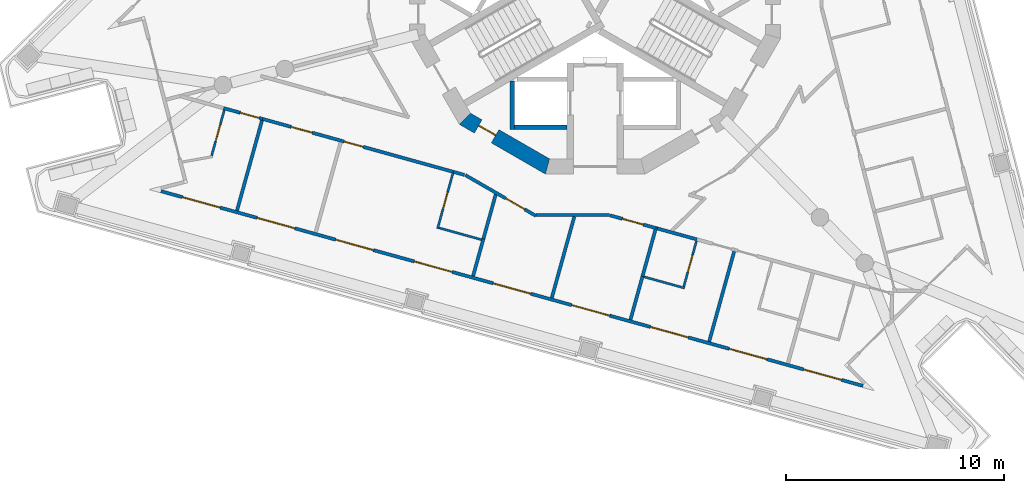
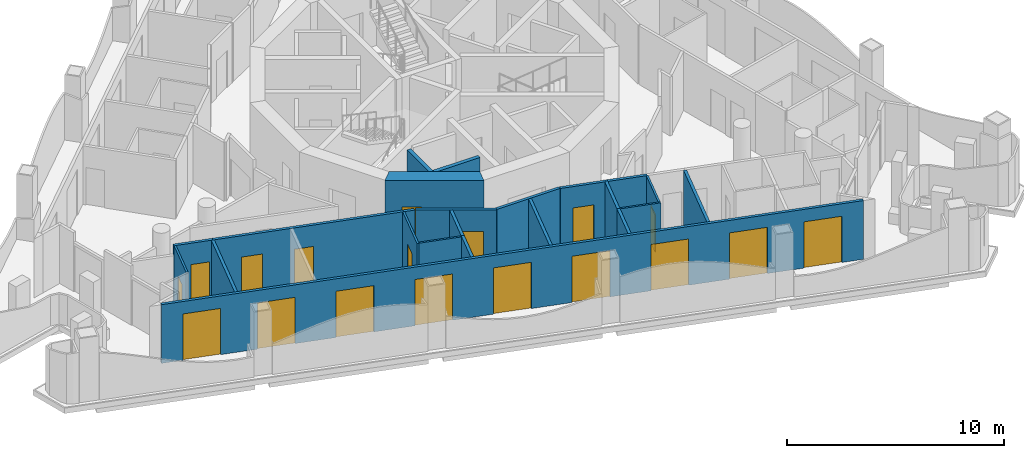
# One storey, part 2 of 14: 23 walls, 18 doors, 18 openings.
"""IFC4 building model written with IfcOpenShell, lengths in metres."""

from ifc_helpers import new_model, si_unit, direction, frame, frame_2d, origin, place, context, subcontext, project, spatial, polyline, rectangle, outline, extrude, material, layer, layer_set, type_object, element, fill, save


model = new_model("IFC4")

# Units and contexts
model_context = context("Model", 3, precision=1e-05, world=origin(), true_north=direction((0.0, 1.0)))
body_context = subcontext(model_context, "Body", "Model", "MODEL_VIEW")
ifc_project = project(units=[si_unit("LENGTHUNIT", "METRE"), si_unit("AREAUNIT", "SQUARE_METRE"), si_unit("VOLUMEUNIT", "CUBIC_METRE"), si_unit("PLANEANGLEUNIT", "RADIAN"), si_unit("MASSUNIT", "GRAM", prefix="KILO")], contexts=[model_context])

# Site, building, storey
site_placement = place(None, origin())
site = spatial("IfcSite", under=ifc_project, at=site_placement, CompositionType="ELEMENT")
building_placement = place(site_placement, origin())
building = spatial("IfcBuilding", under=site, at=building_placement, Name="Trine Commons Tower", CompositionType="ELEMENT")
storey_placement = place(building_placement, frame((0.0, 0.0, 252.89990234375)))
storey = spatial("IfcBuildingStorey", under=building, at=storey_placement, Name="L66", CompositionType="ELEMENT", Elevation=252.89990234375)

# Wall, openings, doors
ifc_material_1 = material(Name="Aluminium-framed insulated wall panel", Category="aluminium")
ifc_layer_1 = layer(ifc_material_1, 0.14990234375)
ifc_layer_set_1 = layer_set([ifc_layer_1], Name="Aluminium-framed insulated wall panel")
wall_type_1 = type_object("IfcWallType", Name="Glazed frame wall 150, EI 60", PredefinedType="SOLIDWALL", material=ifc_layer_set_1)
wall_1_placement = place(storey_placement, frame((92.4189453125, 44.2548828125, 0.0), z_axis=(0.0, 0.0, 1.0), x_axis=(-0.963630586427, 0.267237895708, 0.0)))
wall_1 = element("IfcWall", 1, at=wall_1_placement, inside=storey, type_object=wall_type_1, Name="Glazed frame wall F3", PredefinedType="SOLIDWALL", context=body_context, shape_type="SweptSolid", body=[
    extrude(outline(polyline([(0.1494140625, 0.074951171875), (0.1494140625, -0.074951171875), (33.536865234375, -0.074951171875), (33.536865234375, 0.074951171875), (0.1494140625, 0.074951171875)])), origin(), (0.0, 0.0, 1.0), 3.300048828125),
])
opening_1_placement = place(wall_1_placement, frame((1.17138671875, 0.0, 0.0)))
opening_1 = element("IfcOpeningElement", 2, at=opening_1_placement, cuts=wall_1, Name="Opening BD-7F3-01", PredefinedType="OPENING", context=body_context, shape_type="SweptSolid", body=[
    extrude(rectangle(XDim=1.800048828125, YDim=2.60009765625, at=frame_2d((0.89990234375, 1.300048828125))), frame((0.0, 0.0849609375, 0.0), z_axis=(0.0, -1.0, 0.0), x_axis=(1.0, 0.0, 0.0)), (0.0, 0.0, 1.0), 0.169921875),
])
opening_2_placement = place(wall_1_placement, frame((4.71435546875, 0.0, 0.0)))
opening_2 = element("IfcOpeningElement", 3, at=opening_2_placement, cuts=wall_1, Name="Opening BD-7F3-02", PredefinedType="OPENING", context=body_context, shape_type="SweptSolid", body=[
    extrude(rectangle(XDim=1.800048828125, YDim=2.60009765625, at=frame_2d((0.89990234375, 1.300048828125))), frame((0.0, 0.0849609375, 0.0), z_axis=(0.0, -1.0, 0.0), x_axis=(1.0, 0.0, 0.0)), (0.0, 0.0, 1.0), 0.169921875),
])
opening_3_placement = place(wall_1_placement, frame((8.457275390625, 0.0, 0.0)))
opening_3 = element("IfcOpeningElement", 4, at=opening_3_placement, cuts=wall_1, Name="Opening BD-7F3-03", PredefinedType="OPENING", context=body_context, shape_type="SweptSolid", body=[
    extrude(rectangle(XDim=1.800048828125, YDim=2.60009765625, at=frame_2d((0.89990234375, 1.300048828125))), frame((0.0, 0.0849609375, 0.0), z_axis=(0.0, -1.0, 0.0), x_axis=(1.0, 0.0, 0.0)), (0.0, 0.0, 1.0), 0.169921875),
])
opening_4_placement = place(wall_1_placement, frame((12.2001953125, 0.0, 0.0)))
opening_4 = element("IfcOpeningElement", 5, at=opening_4_placement, cuts=wall_1, Name="Opening BD-7F3-04", PredefinedType="OPENING", context=body_context, shape_type="SweptSolid", body=[
    extrude(rectangle(XDim=1.800048828125, YDim=2.60009765625, at=frame_2d((0.89990234375, 1.300048828125))), frame((0.0, 0.0849609375, 0.0), z_axis=(0.0, -1.0, 0.0), x_axis=(1.0, 0.0, 0.0)), (0.0, 0.0, 1.0), 0.169921875),
])
opening_5_placement = place(wall_1_placement, frame((15.943115234375, 0.0, 0.0)))
opening_5 = element("IfcOpeningElement", 6, at=opening_5_placement, cuts=wall_1, Name="Opening BD-7F3-05", PredefinedType="OPENING", context=body_context, shape_type="SweptSolid", body=[
    extrude(rectangle(XDim=1.800048828125, YDim=2.60009765625, at=frame_2d((0.89990234375, 1.300048828125))), frame((0.0, 0.0849609375, 0.0), z_axis=(0.0, -1.0, 0.0), x_axis=(1.0, 0.0, 0.0)), (0.0, 0.0, 1.0), 0.169921875),
])
opening_6_placement = place(wall_1_placement, frame((19.68603515625, 0.0, 0.0)))
opening_6 = element("IfcOpeningElement", 7, at=opening_6_placement, cuts=wall_1, Name="Opening BD-7F3-06", PredefinedType="OPENING", context=body_context, shape_type="SweptSolid", body=[
    extrude(rectangle(XDim=1.800048828125, YDim=2.60009765625, at=frame_2d((0.89990234375, 1.300048828125))), frame((0.0, 0.0849609375, 0.0), z_axis=(0.0, -1.0, 0.0), x_axis=(1.0, 0.0, 0.0)), (0.0, 0.0, 1.0), 0.169921875),
])
opening_7_placement = place(wall_1_placement, frame((23.428955078125, 0.0, 0.0)))
opening_7 = element("IfcOpeningElement", 8, at=opening_7_placement, cuts=wall_1, Name="Opening BD-7F3-07", PredefinedType="OPENING", context=body_context, shape_type="SweptSolid", body=[
    extrude(rectangle(XDim=1.800048828125, YDim=2.60009765625, at=frame_2d((0.89990234375, 1.300048828125))), frame((0.0, 0.0849609375, 0.0), z_axis=(0.0, -1.0, 0.0), x_axis=(1.0, 0.0, 0.0)), (0.0, 0.0, 1.0), 0.169921875),
])
opening_8_placement = place(wall_1_placement, frame((27.171875, 0.0, 0.0)))
opening_8 = element("IfcOpeningElement", 9, at=opening_8_placement, cuts=wall_1, Name="Opening BD-7F3-08", PredefinedType="OPENING", context=body_context, shape_type="SweptSolid", body=[
    extrude(rectangle(XDim=1.800048828125, YDim=2.60009765625, at=frame_2d((0.89990234375, 1.300048828125))), frame((0.0, 0.0849609375, 0.0), z_axis=(0.0, -1.0, 0.0), x_axis=(1.0, 0.0, 0.0)), (0.0, 0.0, 1.0), 0.169921875),
])
opening_9_placement = place(wall_1_placement, frame((30.714599609375, 0.0, 0.0)))
opening_9 = element("IfcOpeningElement", 10, at=opening_9_placement, cuts=wall_1, Name="Opening BD-7F3-09", PredefinedType="OPENING", context=body_context, shape_type="SweptSolid", body=[
    extrude(rectangle(XDim=1.800048828125, YDim=2.60009765625, at=frame_2d((0.89990234375, 1.300048828125))), frame((0.0, 0.0849609375, 0.0), z_axis=(0.0, -1.0, 0.0), x_axis=(1.0, 0.0, 0.0)), (0.0, 0.0, 1.0), 0.169921875),
])
ifc_material_2 = material(Name="Anodised aluminium frame with double glazing", Category="aluminium")
door_type_1 = type_object("IfcDoorType", Name="Sliding loggia door 1800x2600", OperationType="SLIDING_TO_LEFT", PredefinedType="DOOR", material=ifc_material_2)
door_1_placement = place(opening_1_placement, origin())
door_1 = element("IfcDoor", 11, at=door_1_placement, inside=storey, type_object=door_type_1, Name="Loggia door F3 1", OperationType="SLIDING_TO_LEFT", OverallHeight=2.60009765625, OverallWidth=1.800048828125, PredefinedType="DOOR", context=body_context, shape_type="SweptSolid", body=[
    extrude(rectangle(XDim=1.800048828125, YDim=2.60009765625, at=frame_2d((0.89990234375, 1.300048828125))), frame((0.0, 0.02490234375, 0.0), z_axis=(0.0, -1.0, 0.0), x_axis=(1.0, 0.0, 0.0)), (0.0, 0.0, 1.0), 0.050048828125),
])
fill(opening_1, door_1)
door_2_placement = place(opening_2_placement, origin())
door_2 = element("IfcDoor", 12, at=door_2_placement, inside=storey, type_object=door_type_1, Name="Loggia door F3 2", OperationType="SLIDING_TO_LEFT", OverallHeight=2.60009765625, OverallWidth=1.800048828125, PredefinedType="DOOR", context=body_context, shape_type="SweptSolid", body=[
    extrude(rectangle(XDim=1.800048828125, YDim=2.60009765625, at=frame_2d((0.89990234375, 1.300048828125))), frame((0.0, 0.02490234375, 0.0), z_axis=(0.0, -1.0, 0.0), x_axis=(1.0, 0.0, 0.0)), (0.0, 0.0, 1.0), 0.050048828125),
])
fill(opening_2, door_2)
door_3_placement = place(opening_3_placement, origin())
door_3 = element("IfcDoor", 13, at=door_3_placement, inside=storey, type_object=door_type_1, Name="Loggia door F3 3", OperationType="SLIDING_TO_LEFT", OverallHeight=2.60009765625, OverallWidth=1.800048828125, PredefinedType="DOOR", context=body_context, shape_type="SweptSolid", body=[
    extrude(rectangle(XDim=1.800048828125, YDim=2.60009765625, at=frame_2d((0.89990234375, 1.300048828125))), frame((0.0, 0.02490234375, 0.0), z_axis=(0.0, -1.0, 0.0), x_axis=(1.0, 0.0, 0.0)), (0.0, 0.0, 1.0), 0.050048828125),
])
fill(opening_3, door_3)
door_4_placement = place(opening_4_placement, origin())
door_4 = element("IfcDoor", 14, at=door_4_placement, inside=storey, type_object=door_type_1, Name="Loggia door F3 4", OperationType="SLIDING_TO_LEFT", OverallHeight=2.60009765625, OverallWidth=1.800048828125, PredefinedType="DOOR", context=body_context, shape_type="SweptSolid", body=[
    extrude(rectangle(XDim=1.800048828125, YDim=2.60009765625, at=frame_2d((0.89990234375, 1.300048828125))), frame((0.0, 0.02490234375, 0.0), z_axis=(0.0, -1.0, 0.0), x_axis=(1.0, 0.0, 0.0)), (0.0, 0.0, 1.0), 0.050048828125),
])
fill(opening_4, door_4)
door_5_placement = place(opening_5_placement, origin())
door_5 = element("IfcDoor", 15, at=door_5_placement, inside=storey, type_object=door_type_1, Name="Loggia door F3 5", OperationType="SLIDING_TO_LEFT", OverallHeight=2.60009765625, OverallWidth=1.800048828125, PredefinedType="DOOR", context=body_context, shape_type="SweptSolid", body=[
    extrude(rectangle(XDim=1.800048828125, YDim=2.60009765625, at=frame_2d((0.89990234375, 1.300048828125))), frame((0.0, 0.02490234375, 0.0), z_axis=(0.0, -1.0, 0.0), x_axis=(1.0, 0.0, 0.0)), (0.0, 0.0, 1.0), 0.050048828125),
])
fill(opening_5, door_5)
door_6_placement = place(opening_6_placement, origin())
door_6 = element("IfcDoor", 16, at=door_6_placement, inside=storey, type_object=door_type_1, Name="Loggia door F3 6", OperationType="SLIDING_TO_LEFT", OverallHeight=2.60009765625, OverallWidth=1.800048828125, PredefinedType="DOOR", context=body_context, shape_type="SweptSolid", body=[
    extrude(rectangle(XDim=1.800048828125, YDim=2.60009765625, at=frame_2d((0.89990234375, 1.300048828125))), frame((0.0, 0.02490234375, 0.0), z_axis=(0.0, -1.0, 0.0), x_axis=(1.0, 0.0, 0.0)), (0.0, 0.0, 1.0), 0.050048828125),
])
fill(opening_6, door_6)
door_7_placement = place(opening_7_placement, origin())
door_7 = element("IfcDoor", 17, at=door_7_placement, inside=storey, type_object=door_type_1, Name="Loggia door F3 7", OperationType="SLIDING_TO_LEFT", OverallHeight=2.60009765625, OverallWidth=1.800048828125, PredefinedType="DOOR", context=body_context, shape_type="SweptSolid", body=[
    extrude(rectangle(XDim=1.800048828125, YDim=2.60009765625, at=frame_2d((0.89990234375, 1.300048828125))), frame((0.0, 0.02490234375, 0.0), z_axis=(0.0, -1.0, 0.0), x_axis=(1.0, 0.0, 0.0)), (0.0, 0.0, 1.0), 0.050048828125),
])
fill(opening_7, door_7)
door_8_placement = place(opening_8_placement, origin())
door_8 = element("IfcDoor", 18, at=door_8_placement, inside=storey, type_object=door_type_1, Name="Loggia door F3 8", OperationType="SLIDING_TO_LEFT", OverallHeight=2.60009765625, OverallWidth=1.800048828125, PredefinedType="DOOR", context=body_context, shape_type="SweptSolid", body=[
    extrude(rectangle(XDim=1.800048828125, YDim=2.60009765625, at=frame_2d((0.89990234375, 1.300048828125))), frame((0.0, 0.02490234375, 0.0), z_axis=(0.0, -1.0, 0.0), x_axis=(1.0, 0.0, 0.0)), (0.0, 0.0, 1.0), 0.050048828125),
])
fill(opening_8, door_8)
door_9_placement = place(opening_9_placement, origin())
door_9 = element("IfcDoor", 19, at=door_9_placement, inside=storey, type_object=door_type_1, Name="Loggia door F3 9", OperationType="SLIDING_TO_LEFT", OverallHeight=2.60009765625, OverallWidth=1.800048828125, PredefinedType="DOOR", context=body_context, shape_type="SweptSolid", body=[
    extrude(rectangle(XDim=1.800048828125, YDim=2.60009765625, at=frame_2d((0.89990234375, 1.300048828125))), frame((0.0, 0.02490234375, 0.0), z_axis=(0.0, -1.0, 0.0), x_axis=(1.0, 0.0, 0.0)), (0.0, 0.0, 1.0), 0.050048828125),
])
fill(opening_9, door_9)

# Wall, opening, door
ifc_material_3 = material(Name="Concrete C50/60", Category="concrete")
ifc_layer_2 = layer(ifc_material_3, 0.699951171875)
ifc_layer_set_2 = layer_set([ifc_layer_2], Name="Concrete C50/60")
wall_type_2 = type_object("IfcWallType", Name="RC shear wall 700 mm, C50/60", PredefinedType="SHEAR", material=ifc_layer_set_2)
wall_2_placement = place(storey_placement, frame((73.952392578125, 56.58056640625, 0.0), z_axis=(0.0, 0.0, 1.0), x_axis=(0.866034756103, -0.499983800959, 0.0)))
wall_2 = element("IfcWall", 20, at=wall_2_placement, inside=storey, type_object=wall_type_2, Name="Core wall CWG-09 L66", PredefinedType="SHEAR", context=body_context, shape_type="SweptSolid", body=[
    extrude(outline(polyline([(0.0, -0.35009765625), (4.55517578125, -0.35009765625), (4.36767578125, 0.35009765625), (0.1875, 0.35009765625), (0.0, -0.35009765625)])), origin(), (0.0, 0.0, 1.0), 3.60009765625),
])
opening_10_placement = place(wall_2_placement, frame((0.791015625, 0.0, 0.0)))
opening_10 = element("IfcOpeningElement", 21, at=opening_10_placement, cuts=wall_2, Name="Opening K16.15", PredefinedType="OPENING", context=body_context, shape_type="SweptSolid", body=[
    extrude(rectangle(XDim=0.89990234375, YDim=2.10009765625, at=frame_2d((0.449951171875, 1.050048828125))), frame((0.0, 0.35986328125, 0.0), z_axis=(0.0, -1.0, 0.0), x_axis=(1.0, 0.0, 0.0)), (0.0, 0.0, 1.0), 0.719970703125),
])
ifc_material_4 = material(Name="Steel door leaf, fire-rated", Category="steel")
door_type_2 = type_object("IfcDoorType", Name="Core room door, single leaf 900 x 2100, FD30S", OperationType="SINGLE_SWING_LEFT", PredefinedType="DOOR", material=ifc_material_4)
door_10_placement = place(opening_10_placement, origin())
door_10 = element("IfcDoor", 22, at=door_10_placement, inside=storey, type_object=door_type_2, Name="Door to Parcel store L66", OperationType="SINGLE_SWING_LEFT", OverallHeight=2.10009765625, OverallWidth=0.89990234375, PredefinedType="DOOR", context=body_context, shape_type="SweptSolid", body=[
    extrude(rectangle(XDim=0.89990234375, YDim=2.10009765625, at=frame_2d((0.449951171875, 1.050048828125))), frame((0.0, 0.0751953125, 0.0), z_axis=(0.0, -1.0, 0.0), x_axis=(1.0, 0.0, 0.0)), (0.0, 0.0, 1.0), 0.050048828125),
])
fill(opening_10, door_10)

# Walls
ifc_material_5 = material(Name="Fire-rated gypsum shaft wall system")
ifc_layer_3 = layer(ifc_material_5, 0.199951171875)
ifc_layer_set_3 = layer_set([ifc_layer_3], Name="Fire-rated gypsum shaft wall system")
wall_type_3 = type_object("IfcWallType", Name="Shaft wall 200 mm, EI 120", PredefinedType="PARTITIONING", material=ifc_layer_set_3)
wall_3_placement = place(storey_placement, frame((76.199951171875, 58.257080078125, 0.0), z_axis=(0.0, 0.0, 1.0), x_axis=(0.0, -1.0, 0.0)))
element("IfcWall", 23, at=wall_3_placement, inside=storey, type_object=wall_type_3, Name="Shaft wall L66", PredefinedType="PARTITIONING", context=body_context, shape_type="SweptSolid", body=[
    extrude(rectangle(XDim=2.20703125, YDim=0.199951171875, at=frame_2d((1.103515625, 0.0))), origin(), (0.0, 0.0, 1.0), 3.300048828125),
])
wall_4_placement = place(storey_placement, frame((78.699951171875, 56.14990234375, 0.0), z_axis=(0.0, 0.0, 1.0), x_axis=(-1.0, 0.0, 0.0)))
element("IfcWall", 24, at=wall_4_placement, inside=storey, type_object=wall_type_3, Name="Shaft wall L66", PredefinedType="PARTITIONING", context=body_context, shape_type="SweptSolid", body=[
    extrude(rectangle(XDim=2.39990234375, YDim=0.199951171875, at=frame_2d((1.199951171875, 0.0))), origin(), (0.0, 0.0, 1.0), 3.300048828125),
])

# Wall, opening, door
ifc_material_6 = material(Name="Gypsum plasterboard on steel stud", Category="steel")
ifc_layer_4 = layer(ifc_material_6, 0.14990234375)
ifc_layer_set_4 = layer_set([ifc_layer_4], Name="Gypsum plasterboard on steel stud")
wall_type_4 = type_object("IfcWallType", Name="Unit and corridor wall 150 mm, EI 60", PredefinedType="PARTITIONING", material=ifc_layer_set_4)
wall_5_placement = place(storey_placement, frame((62.9697265625, 57.0244140625, 0.0), z_axis=(0.0, 0.0, 1.0), x_axis=(0.963687744937, -0.267031702723, 0.0)))
wall_5 = element("IfcWall", 25, at=wall_5_placement, inside=storey, type_object=wall_type_4, Name="Partition 006", PredefinedType="PARTITIONING", context=body_context, shape_type="SweptSolid", body=[
    extrude(rectangle(XDim=1.851318359375, YDim=0.14990234375, at=frame_2d((0.92578125, 0.0))), origin(), (0.0, 0.0, 1.0), 3.300048828125),
])
opening_11_placement = place(wall_5_placement, frame((0.79736328125, 0.0, 0.0)))
opening_11 = element("IfcOpeningElement", 26, at=opening_11_placement, cuts=wall_5, Name="Opening D-7B23", PredefinedType="OPENING", context=body_context, shape_type="SweptSolid", body=[
    extrude(rectangle(XDim=0.89990234375, YDim=2.10009765625, at=frame_2d((0.449951171875, 1.050048828125))), frame((0.0, 0.0849609375, 0.0), z_axis=(0.0, -1.0, 0.0), x_axis=(1.0, 0.0, 0.0)), (0.0, 0.0, 1.0), 0.169921875),
])
ifc_material_7 = material(Name="Timber fire door set", Category="wood")
door_type_3 = type_object("IfcDoorType", Name="Bedroom door 900 x 2100, FD30S", OperationType="NOTDEFINED", PredefinedType="DOOR", material=ifc_material_7)
door_11_placement = place(opening_11_placement, frame((0.89990234375, 0.0, 0.0), z_axis=(0.0, 0.0, 1.0), x_axis=(-1.0, 0.0, 0.0)))
door_11 = element("IfcDoor", 27, at=door_11_placement, inside=storey, type_object=door_type_3, Name="Door D-7B23", OperationType="SINGLE_SWING_LEFT", OverallHeight=2.10009765625, OverallWidth=0.89990234375, PredefinedType="DOOR", context=body_context, shape_type="SweptSolid", body=[
    extrude(rectangle(XDim=0.89990234375, YDim=2.10009765625, at=frame_2d((0.449951171875, 1.050048828125))), frame((0.0, 0.02490234375, 0.0), z_axis=(0.0, -1.0, 0.0), x_axis=(1.0, 0.0, 0.0)), (0.0, 0.0, 1.0), 0.050048828125),
])
fill(opening_11, door_11)

# Wall
wall_6_placement = place(storey_placement, frame((63.584716796875, 52.32958984375, 0.0), z_axis=(0.0, 0.0, 1.0), x_axis=(0.267270648008, 0.963621502828, 0.0)))
element("IfcWall", 28, at=wall_6_placement, inside=storey, type_object=wall_type_4, Name="Partition 008", PredefinedType="PARTITIONING", context=body_context, shape_type="SweptSolid", body=[
    extrude(rectangle(XDim=4.284912109375, YDim=0.14990234375, at=frame_2d((2.142578125, 0.0))), origin(), (0.0, 0.0, 1.0), 3.300048828125),
])

# Wall, openings, doors
wall_7_placement = place(storey_placement, frame((64.74609375, 56.531982421875, 0.0), z_axis=(0.0, 0.0, 1.0), x_axis=(0.963636492765, -0.267216597184, 0.0)))
wall_7 = element("IfcWall", 29, at=wall_7_placement, inside=storey, type_object=wall_type_4, Name="Partition 010", PredefinedType="PARTITIONING", context=body_context, shape_type="SweptSolid", body=[
    extrude(rectangle(XDim=9.136474609375, YDim=0.14990234375, at=frame_2d((4.568359375, 0.0))), origin(), (0.0, 0.0, 1.0), 3.300048828125),
])
opening_12_placement = place(wall_7_placement, frame((3.8974609375, 0.0, 0.0)))
opening_12 = element("IfcOpeningElement", 30, at=opening_12_placement, cuts=wall_7, Name="Opening D-7B21", PredefinedType="OPENING", context=body_context, shape_type="SweptSolid", body=[
    extrude(rectangle(XDim=0.89990234375, YDim=2.10009765625, at=frame_2d((0.449951171875, 1.050048828125))), frame((0.0, 0.0849609375, 0.0), z_axis=(0.0, -1.0, 0.0), x_axis=(1.0, 0.0, 0.0)), (0.0, 0.0, 1.0), 0.169921875),
])
opening_13_placement = place(wall_7_placement, frame((1.375732421875, 0.0, 0.0)))
opening_13 = element("IfcOpeningElement", 31, at=opening_13_placement, cuts=wall_7, Name="Opening D-7B22", PredefinedType="OPENING", context=body_context, shape_type="SweptSolid", body=[
    extrude(rectangle(XDim=1.0, YDim=2.10009765625, at=frame_2d((0.5, 1.050048828125))), frame((0.0, 0.0849609375, 0.0), z_axis=(0.0, -1.0, 0.0), x_axis=(1.0, 0.0, 0.0)), (0.0, 0.0, 1.0), 0.169921875),
])
ifc_material_8 = material(Name="Painted timber", Category="wood")
door_type_4 = type_object("IfcDoorType", Name="Amenity room door 1000 x 2100, NOT RATED", OperationType="NOTDEFINED", PredefinedType="DOOR", material=ifc_material_8)
door_12_placement = place(opening_13_placement, frame((1.0, 0.0, 0.0), z_axis=(0.0, 0.0, 1.0), x_axis=(-1.0, 0.0, 0.0)))
door_12 = element("IfcDoor", 32, at=door_12_placement, inside=storey, type_object=door_type_4, Name="Door D-7B22", OperationType="SINGLE_SWING_RIGHT", OverallHeight=2.10009765625, OverallWidth=1.0, PredefinedType="DOOR", context=body_context, shape_type="SweptSolid", body=[
    extrude(rectangle(XDim=1.0, YDim=2.10009765625, at=frame_2d((0.5, 1.050048828125))), frame((0.0, 0.02490234375, 0.0), z_axis=(0.0, -1.0, 0.0), x_axis=(1.0, 0.0, 0.0)), (0.0, 0.0, 1.0), 0.050048828125),
])
fill(opening_13, door_12)
door_13_placement = place(opening_12_placement, frame((0.89990234375, 0.0, 0.0), z_axis=(0.0, 0.0, 1.0), x_axis=(-1.0, 0.0, 0.0)))
door_13 = element("IfcDoor", 33, at=door_13_placement, inside=storey, type_object=door_type_3, Name="Door D-7B21", OperationType="SINGLE_SWING_RIGHT", OverallHeight=2.10009765625, OverallWidth=0.89990234375, PredefinedType="DOOR", context=body_context, shape_type="SweptSolid", body=[
    extrude(rectangle(XDim=0.89990234375, YDim=2.10009765625, at=frame_2d((0.449951171875, 1.050048828125))), frame((0.0, 0.02490234375, 0.0), z_axis=(0.0, -1.0, 0.0), x_axis=(1.0, 0.0, 0.0)), (0.0, 0.0, 1.0), 0.050048828125),
])
fill(opening_12, door_13)

# Wall
wall_8_placement = place(storey_placement, frame((73.4951171875, 54.10595703125, 0.0), z_axis=(0.0, 0.0, 1.0), x_axis=(0.963398829282, -0.268072183819, 0.0)))
element("IfcWall", 34, at=wall_8_placement, inside=storey, type_object=wall_type_4, Name="Partition 035", PredefinedType="PARTITIONING", context=body_context, shape_type="SweptSolid", body=[
    extrude(rectangle(XDim=0.529052734375, YDim=0.14990234375, at=frame_2d((0.2646484375, 0.0))), origin(), (0.0, 0.0, 1.0), 3.300048828125),
])

# Wall, opening, door
wall_9_placement = place(storey_placement, frame((74.049072265625, 53.9560546875, 0.0), z_axis=(0.0, 0.0, 1.0), x_axis=(0.865974487503, -0.500088179218, 0.0)))
wall_9 = element("IfcWall", 35, at=wall_9_placement, inside=storey, type_object=wall_type_4, Name="Partition 036", PredefinedType="PARTITIONING", context=body_context, shape_type="SweptSolid", body=[
    extrude(rectangle(XDim=3.736572265625, YDim=0.14990234375, at=frame_2d((1.8681640625, 0.0))), origin(), (0.0, 0.0, 1.0), 3.300048828125),
])
opening_14_placement = place(wall_9_placement, frame((2.146728515625, 0.0, 0.0)))
opening_14 = element("IfcOpeningElement", 36, at=opening_14_placement, cuts=wall_9, Name="Opening D-7B20", PredefinedType="OPENING", context=body_context, shape_type="SweptSolid", body=[
    extrude(rectangle(XDim=1.0, YDim=2.10009765625, at=frame_2d((0.5, 1.050048828125))), frame((0.0, 0.0849609375, 0.0), z_axis=(0.0, -1.0, 0.0), x_axis=(1.0, 0.0, 0.0)), (0.0, 0.0, 1.0), 0.169921875),
])
door_type_5 = type_object("IfcDoorType", Name="Toilet door 1000 x 2100, NOT RATED", OperationType="NOTDEFINED", PredefinedType="DOOR", material=ifc_material_8)
door_14_placement = place(opening_14_placement, frame((1.0, 0.0, 0.0), z_axis=(0.0, 0.0, 1.0), x_axis=(-1.0, 0.0, 0.0)))
door_14 = element("IfcDoor", 37, at=door_14_placement, inside=storey, type_object=door_type_5, Name="Door D-7B20", OperationType="SINGLE_SWING_LEFT", OverallHeight=2.10009765625, OverallWidth=1.0, PredefinedType="DOOR", context=body_context, shape_type="SweptSolid", body=[
    extrude(rectangle(XDim=1.0, YDim=2.10009765625, at=frame_2d((0.5, 1.050048828125))), frame((0.0, 0.02490234375, 0.0), z_axis=(0.0, -1.0, 0.0), x_axis=(1.0, 0.0, 0.0)), (0.0, 0.0, 1.0), 0.050048828125),
])
fill(opening_14, door_14)

# Walls
wall_10_placement = place(storey_placement, frame((74.40478515625, 49.32861328125, 0.0), z_axis=(0.0, 0.0, 1.0), x_axis=(0.267401148385, 0.963585297648, 0.0)))
element("IfcWall", 38, at=wall_10_placement, inside=storey, type_object=wall_type_4, Name="Partition 039", PredefinedType="PARTITIONING", context=body_context, shape_type="SweptSolid", body=[
    extrude(rectangle(XDim=1.763916015625, YDim=0.14990234375, at=frame_2d((0.8818359375, 0.0))), origin(), (0.0, 0.0, 1.0), 3.300048828125),
])
wall_11_placement = place(storey_placement, frame((74.861083984375, 50.971923828125, 0.0), z_axis=(0.0, 0.0, 1.0), x_axis=(0.267076384881, 0.963675362681, 0.0)))
element("IfcWall", 39, at=wall_11_placement, inside=storey, type_object=wall_type_4, Name="Partition 040", PredefinedType="PARTITIONING", context=body_context, shape_type="SweptSolid", body=[
    extrude(rectangle(XDim=2.1748046875, YDim=0.14990234375, at=frame_2d((1.08740234375, 0.0))), origin(), (0.0, 0.0, 1.0), 3.300048828125),
])
wall_12_placement = place(storey_placement, frame((77.294921875, 52.125, 0.0), z_axis=(0.0, 0.0, 1.0), x_axis=(1.0, 0.0, 0.0)))
element("IfcWall", 40, at=wall_12_placement, inside=storey, type_object=wall_type_4, Name="Partition 044", PredefinedType="PARTITIONING", context=body_context, shape_type="SweptSolid", body=[
    extrude(rectangle(XDim=3.35595703125, YDim=0.14990234375, at=frame_2d((1.677978515625, 0.0))), origin(), (0.0, 0.0, 1.0), 3.300048828125),
])
wall_13_placement = place(storey_placement, frame((78.01171875, 48.32861328125, 0.0), z_axis=(0.0, 0.0, 1.0), x_axis=(0.267337590954, 0.963602932988, 0.0)))
element("IfcWall", 41, at=wall_13_placement, inside=storey, type_object=wall_type_4, Name="Partition 045", PredefinedType="PARTITIONING", context=body_context, shape_type="SweptSolid", body=[
    extrude(rectangle(XDim=3.86474609375, YDim=0.14990234375, at=frame_2d((1.932373046875, 0.0))), origin(), (0.0, 0.0, 1.0), 3.300048828125),
])

# Wall, opening, door
wall_14_placement = place(storey_placement, frame((80.681884765625, 52.110107421875, 0.0), z_axis=(0.0, 0.0, 1.0), x_axis=(0.96358351927, -0.267407556722, 0.0)))
wall_14 = element("IfcWall", 42, at=wall_14_placement, inside=storey, type_object=wall_type_4, Name="Partition 049", PredefinedType="PARTITIONING", context=body_context, shape_type="SweptSolid", body=[
    extrude(rectangle(XDim=2.184814453125, YDim=0.14990234375, at=frame_2d((1.09228515625, 0.0))), origin(), (0.0, 0.0, 1.0), 3.300048828125),
])
opening_15_placement = place(wall_14_placement, frame((0.590576171875, 0.0, 0.0)))
opening_15 = element("IfcOpeningElement", 43, at=opening_15_placement, cuts=wall_14, Name="Opening D-7B19", PredefinedType="OPENING", context=body_context, shape_type="SweptSolid", body=[
    extrude(rectangle(XDim=1.0, YDim=2.10009765625, at=frame_2d((0.5, 1.050048828125))), frame((0.0, 0.0849609375, 0.0), z_axis=(0.0, -1.0, 0.0), x_axis=(1.0, 0.0, 0.0)), (0.0, 0.0, 1.0), 0.169921875),
])
door_15_placement = place(opening_15_placement, frame((1.0, 0.0, 0.0), z_axis=(0.0, 0.0, 1.0), x_axis=(-1.0, 0.0, 0.0)))
door_15 = element("IfcDoor", 44, at=door_15_placement, inside=storey, type_object=door_type_4, Name="Door D-7B19", OperationType="SINGLE_SWING_RIGHT", OverallHeight=2.10009765625, OverallWidth=1.0, PredefinedType="DOOR", context=body_context, shape_type="SweptSolid", body=[
    extrude(rectangle(XDim=1.0, YDim=2.10009765625, at=frame_2d((0.5, 1.050048828125))), frame((0.0, 0.02490234375, 0.0), z_axis=(0.0, -1.0, 0.0), x_axis=(1.0, 0.0, 0.0)), (0.0, 0.0, 1.0), 0.050048828125),
])
fill(opening_15, door_15)

# Walls
wall_15_placement = place(storey_placement, frame((81.61865234375, 47.327392578125, 0.0), z_axis=(0.0, 0.0, 1.0), x_axis=(0.267075474737, 0.963675614921, 0.0)))
element("IfcWall", 45, at=wall_15_placement, inside=storey, type_object=wall_type_4, Name="Partition 050", PredefinedType="PARTITIONING", context=body_context, shape_type="SweptSolid", body=[
    extrude(rectangle(XDim=2.060546875, YDim=0.14990234375, at=frame_2d((1.0302734375, 0.0))), origin(), (0.0, 0.0, 1.0), 3.300048828125),
])
wall_16_placement = place(storey_placement, frame((82.1689453125, 49.31298828125, 0.0), z_axis=(0.0, 0.0, 1.0), x_axis=(0.267490099625, 0.963560608681, 0.0)))
element("IfcWall", 46, at=wall_16_placement, inside=storey, type_object=wall_type_4, Name="Partition 053", PredefinedType="PARTITIONING", context=body_context, shape_type="SweptSolid", body=[
    extrude(rectangle(XDim=2.374755859375, YDim=0.14990234375, at=frame_2d((1.1875, 0.0))), origin(), (0.0, 0.0, 1.0), 3.300048828125),
])
wall_17_placement = place(storey_placement, frame((82.852294921875, 51.508056640625, 0.0), z_axis=(0.0, 0.0, 1.0), x_axis=(0.963942160186, -0.266111840805, 0.0)))
element("IfcWall", 47, at=wall_17_placement, inside=storey, type_object=wall_type_4, Name="Partition 057", PredefinedType="PARTITIONING", context=body_context, shape_type="SweptSolid", body=[
    extrude(rectangle(XDim=1.882568359375, YDim=0.14990234375, at=frame_2d((0.94140625, 0.0))), origin(), (0.0, 0.0, 1.0), 3.300048828125),
])
wall_18_placement = place(storey_placement, frame((85.2255859375, 46.327392578125, 0.0), z_axis=(0.0, 0.0, 1.0), x_axis=(0.267308876537, 0.963610898924, 0.0)))
element("IfcWall", 48, at=wall_18_placement, inside=storey, type_object=wall_type_4, Name="Partition 066", PredefinedType="PARTITIONING", context=body_context, shape_type="SweptSolid", body=[
    extrude(rectangle(XDim=4.285400390625, YDim=0.14990234375, at=frame_2d((2.142578125, 0.0))), origin(), (0.0, 0.0, 1.0), 3.300048828125),
])

# Wall, opening, door
ifc_layer_5 = layer(ifc_material_6, 0.10009765625)
ifc_layer_set_5 = layer_set([ifc_layer_5], Name="Gypsum plasterboard on steel stud")
wall_type_5 = type_object("IfcWallType", Name="Unit partition 100 mm, no rating", PredefinedType="PARTITIONING", material=ifc_layer_set_5)
wall_19_placement = place(storey_placement, frame((62.42138671875, 54.84130859375, 0.0), z_axis=(0.0, 0.0, 1.0), x_axis=(0.26688549759, 0.963728245501, 0.0)))
wall_19 = element("IfcWall", 49, at=wall_19_placement, inside=storey, type_object=wall_type_5, Name="Partition 005", PredefinedType="PARTITIONING", context=body_context, shape_type="SweptSolid", body=[
    extrude(rectangle(XDim=2.17529296875, YDim=0.10009765625, at=frame_2d((1.087646484375, 0.0))), origin(), (0.0, 0.0, 1.0), 3.300048828125),
])
opening_16_placement = place(wall_19_placement, frame((0.687744140625, 0.0, 0.0)))
opening_16 = element("IfcOpeningElement", 50, at=opening_16_placement, cuts=wall_19, Name="Opening D-7B39", PredefinedType="OPENING", context=body_context, shape_type="SweptSolid", body=[
    extrude(rectangle(XDim=0.800048828125, YDim=2.10009765625, at=frame_2d((0.39990234375, 1.050048828125))), frame((0.0, 0.06005859375, 0.0), z_axis=(0.0, -1.0, 0.0), x_axis=(1.0, 0.0, 0.0)), (0.0, 0.0, 1.0), 0.1201171875),
])
door_type_6 = type_object("IfcDoorType", Name="Internal door 800 x 2100, NOT RATED", OperationType="NOTDEFINED", PredefinedType="DOOR", material=ifc_material_8)
door_16_placement = place(opening_16_placement, frame((0.800048828125, 0.0, 0.0), z_axis=(0.0, 0.0, 1.0), x_axis=(-1.0, 0.0, 0.0)))
door_16 = element("IfcDoor", 51, at=door_16_placement, inside=storey, type_object=door_type_6, Name="Door D-7B39", OperationType="SINGLE_SWING_LEFT", OverallHeight=2.10009765625, OverallWidth=0.800048828125, PredefinedType="DOOR", context=body_context, shape_type="SweptSolid", body=[
    extrude(rectangle(XDim=0.800048828125, YDim=2.10009765625, at=frame_2d((0.39990234375, 1.050048828125))), frame((0.0, 0.02490234375, 0.0), z_axis=(0.0, -1.0, 0.0), x_axis=(1.0, 0.0, 0.0)), (0.0, 0.0, 1.0), 0.050048828125),
])
fill(opening_16, door_16)

wall_20_placement = place(storey_placement, frame((72.776611328125, 51.501708984375, 0.0), z_axis=(0.0, 0.0, 1.0), x_axis=(0.267159430854, 0.963652343175, 0.0)))
wall_20 = element("IfcWall", 52, at=wall_20_placement, inside=storey, type_object=wall_type_5, Name="Partition 033", PredefinedType="PARTITIONING", context=body_context, shape_type="SweptSolid", body=[
    extrude(rectangle(XDim=2.62548828125, YDim=0.10009765625, at=frame_2d((1.312744140625, 0.0))), origin(), (0.0, 0.0, 1.0), 3.300048828125),
])
opening_17_placement = place(wall_20_placement, frame((0.937744140625, 0.0, 0.0)))
opening_17 = element("IfcOpeningElement", 53, at=opening_17_placement, cuts=wall_20, Name="Opening D-7B38", PredefinedType="OPENING", context=body_context, shape_type="SweptSolid", body=[
    extrude(rectangle(XDim=0.800048828125, YDim=2.10009765625, at=frame_2d((0.39990234375, 1.050048828125))), frame((0.0, 0.06005859375, 0.0), z_axis=(0.0, -1.0, 0.0), x_axis=(1.0, 0.0, 0.0)), (0.0, 0.0, 1.0), 0.1201171875),
])
door_17_placement = place(opening_17_placement, origin())
door_17 = element("IfcDoor", 54, at=door_17_placement, inside=storey, type_object=door_type_6, Name="Door D-7B38", OperationType="SINGLE_SWING_RIGHT", OverallHeight=2.10009765625, OverallWidth=0.800048828125, PredefinedType="DOOR", context=body_context, shape_type="SweptSolid", body=[
    extrude(rectangle(XDim=0.800048828125, YDim=2.10009765625, at=frame_2d((0.39990234375, 1.050048828125))), frame((0.0, 0.02490234375, 0.0), z_axis=(0.0, -1.0, 0.0), x_axis=(1.0, 0.0, 0.0)), (0.0, 0.0, 1.0), 0.050048828125),
])
fill(opening_17, door_17)

# Walls
wall_21_placement = place(storey_placement, frame((72.838134765625, 51.53662109375, 0.0), z_axis=(0.0, 0.0, 1.0), x_axis=(0.963721434873, -0.266910089668, 0.0)))
element("IfcWall", 55, at=wall_21_placement, inside=storey, type_object=wall_type_5, Name="Partition 034", PredefinedType="PARTITIONING", context=body_context, shape_type="SweptSolid", body=[
    extrude(rectangle(XDim=2.025146484375, YDim=0.10009765625, at=frame_2d((1.0126953125, 0.0))), origin(), (0.0, 0.0, 1.0), 3.300048828125),
])
wall_22_placement = place(storey_placement, frame((82.2412109375, 49.29296875, 0.0), z_axis=(0.0, 0.0, 1.0), x_axis=(0.963634107358, -0.26722519929, 0.0)))
element("IfcWall", 56, at=wall_22_placement, inside=storey, type_object=wall_type_5, Name="Partition 054", PredefinedType="PARTITIONING", context=body_context, shape_type="SweptSolid", body=[
    extrude(rectangle(XDim=1.925048828125, YDim=0.10009765625, at=frame_2d((0.96240234375, 0.0))), origin(), (0.0, 0.0, 1.0), 3.300048828125),
])

# Wall, opening, door
wall_23_placement = place(storey_placement, frame((84.061279296875, 48.840087890625, 0.0), z_axis=(0.0, 0.0, 1.0), x_axis=(0.26738911175, 0.96358863781, 0.0)))
wall_23 = element("IfcWall", 57, at=wall_23_placement, inside=storey, type_object=wall_type_5, Name="Partition 061", PredefinedType="PARTITIONING", context=body_context, shape_type="SweptSolid", body=[
    extrude(rectangle(XDim=2.1748046875, YDim=0.10009765625, at=frame_2d((1.08740234375, 0.0))), origin(), (0.0, 0.0, 1.0), 3.300048828125),
])
opening_18_placement = place(wall_23_placement, frame((0.6875, 0.0, 0.0)))
opening_18 = element("IfcOpeningElement", 58, at=opening_18_placement, cuts=wall_23, Name="Opening D-7B37", PredefinedType="OPENING", context=body_context, shape_type="SweptSolid", body=[
    extrude(rectangle(XDim=0.800048828125, YDim=2.10009765625, at=frame_2d((0.39990234375, 1.050048828125))), frame((0.0, 0.06005859375, 0.0), z_axis=(0.0, -1.0, 0.0), x_axis=(1.0, 0.0, 0.0)), (0.0, 0.0, 1.0), 0.1201171875),
])
door_18_placement = place(opening_18_placement, frame((0.800048828125, 0.0, 0.0), z_axis=(0.0, 0.0, 1.0), x_axis=(-1.0, 0.0, 0.0)))
door_18 = element("IfcDoor", 59, at=door_18_placement, inside=storey, type_object=door_type_6, Name="Door D-7B37", OperationType="SINGLE_SWING_LEFT", OverallHeight=2.10009765625, OverallWidth=0.800048828125, PredefinedType="DOOR", context=body_context, shape_type="SweptSolid", body=[
    extrude(rectangle(XDim=0.800048828125, YDim=2.10009765625, at=frame_2d((0.39990234375, 1.050048828125))), frame((0.0, 0.02490234375, 0.0), z_axis=(0.0, -1.0, 0.0), x_axis=(1.0, 0.0, 0.0)), (0.0, 0.0, 1.0), 0.050048828125),
])
fill(opening_18, door_18)

save(model, "model.ifc")
